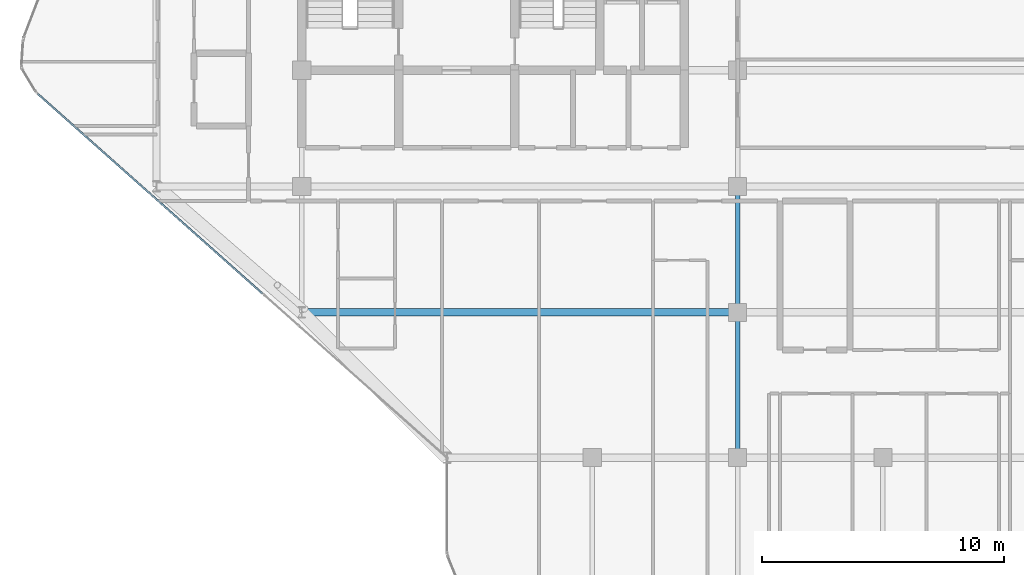
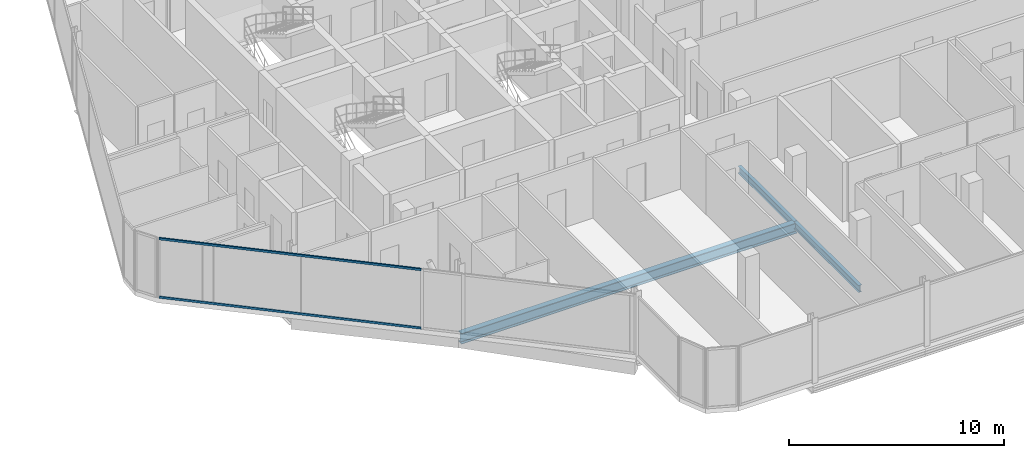
# One storey, part 7 of 29: 3 beams, 2 members, 1 element without a shape of its own.
"""IFC4 building model written with IfcOpenShell, lengths in metres."""

from ifc_helpers import new_model, si_unit, direction, frame, origin, origin_2d, place, context, subcontext, project, spatial, hollow_rectangle, i_section, extrude, material, layer, layer_set, material_profile, profile_set, type_object, element, aggregate, save


model = new_model("IFC4")

# Units and contexts
model_context = context("Model", 3, precision=1e-05, world=origin(), true_north=direction((0.0, 1.0)))
body_context = subcontext(model_context, "Body", "Model", "MODEL_VIEW")
ifc_project = project(units=[si_unit("LENGTHUNIT", "METRE"), si_unit("AREAUNIT", "SQUARE_METRE"), si_unit("VOLUMEUNIT", "CUBIC_METRE"), si_unit("PLANEANGLEUNIT", "RADIAN"), si_unit("MASSUNIT", "GRAM", prefix="KILO")], contexts=[model_context])

# Site, building, storey
site_placement = place(None, origin())
site = spatial("IfcSite", under=ifc_project, at=site_placement, CompositionType="ELEMENT")
building_placement = place(site_placement, origin())
building = spatial("IfcBuilding", under=site, at=building_placement, Name="Keshet Zoharim Tower", CompositionType="ELEMENT")
storey_placement = place(building_placement, frame((0.0, 0.0, 214.300048828125)))
storey = spatial("IfcBuildingStorey", under=building, at=storey_placement, Name="L53", CompositionType="ELEMENT", Elevation=214.300048828125)

# Beams
ifc_material_1 = material(Name="Steel S355", Category="steel")
ifc_material_profile_1 = material_profile(ifc_material_1, i_section(OverallWidth=0.300048828125, OverallDepth=0.60009765625, WebThickness=0.015380859375, FlangeThickness=0.030029296875, FilletRadius=0.027099609375, at=origin_2d()), Name="HEB600")
ifc_profile_set_1 = profile_set([ifc_material_profile_1], Name="Steel S355")
beam_type_1 = type_object("IfcBeamType", Name="BM-LNG-HB600", PredefinedType="BEAM", material=ifc_profile_set_1)
beam_1_placement = place(storey_placement, frame((15.0, 12.699951171875, -0.610107421875), z_axis=(1.0, 0.0, 0.0), x_axis=(0.0, 1.0, 0.0)))
element("IfcBeam", 1, at=beam_1_placement, inside=storey, type_object=beam_type_1, Name="L53 Primary Girder X-009", PredefinedType="BEAM", context=body_context, shape_type="SweptSolid", body=[
    extrude(i_section(OverallWidth=0.300048828125, OverallDepth=0.60009765625, WebThickness=0.015380859375, FlangeThickness=0.030029296875, FilletRadius=0.027099609375, at=origin_2d()), origin(), (0.0, 0.0, 1.0), 18.0),
])
ifc_material_profile_2 = material_profile(ifc_material_1, i_section(OverallWidth=0.179931640625, OverallDepth=0.39990234375, WebThickness=0.008544921875, FlangeThickness=0.013427734375, FilletRadius=0.02099609375, at=origin_2d()), Name="IPE400")
ifc_profile_set_2 = profile_set([ifc_material_profile_2], Name="Steel S355")
beam_type_2 = type_object("IfcBeamType", Name="BM-PRI-IP400", PredefinedType="BEAM", material=ifc_profile_set_2)
beam_2_placement = place(storey_placement, frame((33.0, 6.699951171875, -0.510009765625), z_axis=(0.0, 1.0, 0.0), x_axis=(-1.0, 0.0, 0.0)))
element("IfcBeam", 2, at=beam_2_placement, inside=storey, type_object=beam_type_2, Name="L53 Primary Girder Y-006", PredefinedType="BEAM", context=body_context, shape_type="SweptSolid", body=[
    extrude(i_section(OverallWidth=0.179931640625, OverallDepth=0.39990234375, WebThickness=0.008544921875, FlangeThickness=0.013427734375, FilletRadius=0.02099609375, at=origin_2d()), origin(), (0.0, 0.0, 1.0), 6.0),
])
beam_3_placement = place(storey_placement, frame((33.0, 12.699951171875, -0.510009765625), z_axis=(0.0, 1.0, 0.0), x_axis=(-1.0, 0.0, 0.0)))
element("IfcBeam", 3, at=beam_3_placement, inside=storey, type_object=beam_type_2, Name="L53 Primary Girder Y-007", PredefinedType="BEAM", context=body_context, shape_type="SweptSolid", body=[
    extrude(i_section(OverallWidth=0.179931640625, OverallDepth=0.39990234375, WebThickness=0.008544921875, FlangeThickness=0.013427734375, FilletRadius=0.02099609375, at=origin_2d()), origin(), (0.0, 0.0, 1.0), 5.199951171875),
])

# Curtain wall, members
ifc_material_2 = material(Name="Aluminium 6063-T6", Category="aluminium")
ifc_layer = layer(ifc_material_2, 0.139892578125)
ifc_layer_set = layer_set([ifc_layer], Name="Aluminium 6063-T6")
curtain_wall_type = type_object("IfcCurtainWallType", Name="CW-SYS-05", PredefinedType="NOTDEFINED", material=ifc_layer_set)
curtain_wall_placement = place(storey_placement, origin())
curtain_wall = element("IfcCurtainWall", 4, at=curtain_wall_placement, inside=storey, type_object=curtain_wall_type, Name="L53 Unitised Curtain Wall 10 Part 3", PredefinedType="NOTDEFINED")
ifc_material_profile_3 = material_profile(ifc_material_2, hollow_rectangle(XDim=0.074951171875, YDim=0.1201171875, WallThickness=0.00390625, at=origin_2d()), Name="TRN-75x120")
ifc_profile_set_3 = profile_set([ifc_material_profile_3], Name="Aluminium 6063-T6")
member_type = type_object("IfcMemberType", Name="CWT-T12", PredefinedType="USERDEFINED", material=ifc_profile_set_3)
member_1_placement = place(storey_placement, frame((13.3798828125, 13.473388671875, 0.034912109375), z_axis=(-0.747408235284, 0.664365057652, 0.0), x_axis=(-0.664365057652, -0.747408235284, 0.0)))
member_1 = element("IfcMember", 5, at=member_1_placement, type_object=member_type, Name="CW-05 transom 1.1", ObjectType="TRANSOM", PredefinedType="USERDEFINED", context=body_context, shape_type="SweptSolid", body=[
    extrude(hollow_rectangle(XDim=0.074951171875, YDim=0.1201171875, WallThickness=0.00390625, at=origin_2d()), origin(), (0.0, 0.0, 1.0), 12.432861328125),
])
member_2_placement = place(storey_placement, frame((13.3798828125, 13.473388671875, 3.344970703125), z_axis=(-0.747408235284, 0.664365057652, 0.0), x_axis=(-0.664365057652, -0.747408235284, 0.0)))
member_2 = element("IfcMember", 6, at=member_2_placement, type_object=member_type, Name="CW-05 transom 1.2", ObjectType="TRANSOM", PredefinedType="USERDEFINED", context=body_context, shape_type="SweptSolid", body=[
    extrude(hollow_rectangle(XDim=0.074951171875, YDim=0.1201171875, WallThickness=0.00390625, at=origin_2d()), origin(), (0.0, 0.0, 1.0), 12.432861328125),
])
aggregate(curtain_wall, [member_1, member_2])

save(model, "model.ifc")
